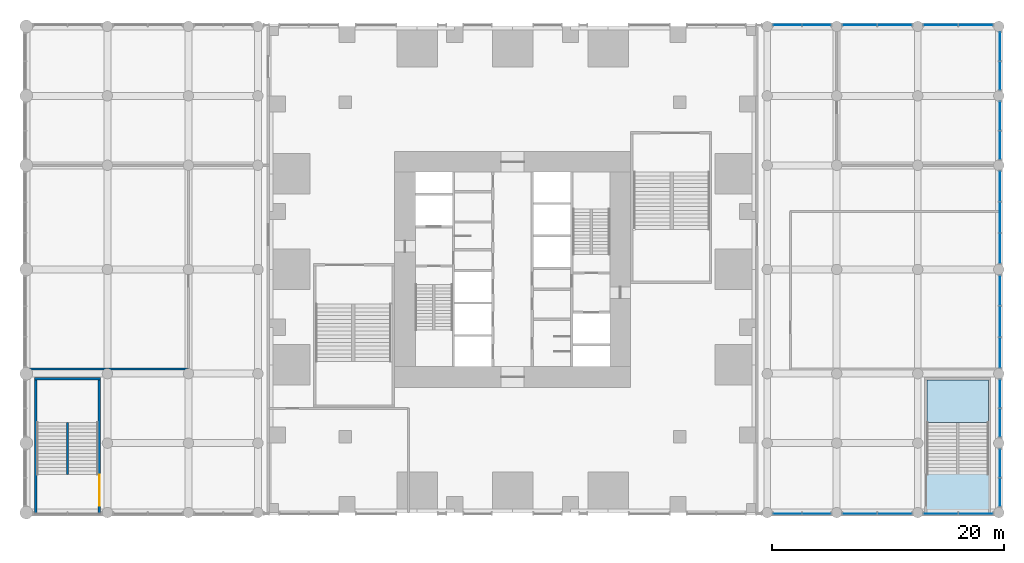
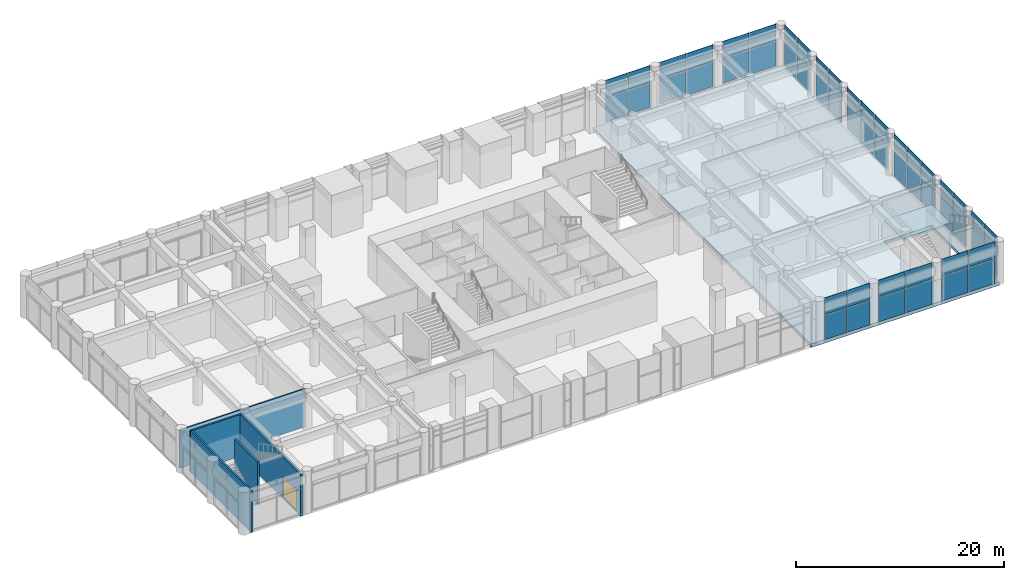
# One storey, part 15 of 23: 52 plates, 5 walls, 2 slabs, 1 door, 1 opening, 13 elements without a shape of their own.
"""IFC4 building model written with IfcOpenShell, lengths in metres."""

from ifc_helpers import new_model, si_unit, direction, frame, frame_2d, origin, origin_2d, place, context, subcontext, project, spatial, polyline, rectangle, outline, extrude, material, layer, layer_set, type_object, element, fill, aggregate, save


model = new_model("IFC4")

# Units and contexts
model_context = context("Model", 3, precision=1e-05, world=origin(), true_north=direction((0.0, 1.0)))
body_context = subcontext(model_context, "Body", "Model", "MODEL_VIEW")
ifc_project = project(units=[si_unit("LENGTHUNIT", "METRE"), si_unit("AREAUNIT", "SQUARE_METRE"), si_unit("VOLUMEUNIT", "CUBIC_METRE"), si_unit("PLANEANGLEUNIT", "RADIAN"), si_unit("MASSUNIT", "GRAM", prefix="KILO")], contexts=[model_context])

# Site, building, storey
site_placement = place(None, origin())
site = spatial("IfcSite", under=ifc_project, at=site_placement, CompositionType="ELEMENT")
building_placement = place(site_placement, origin())
building = spatial("IfcBuilding", under=site, at=building_placement, Name="Svetlomir Tower", CompositionType="ELEMENT")
storey_placement = place(building_placement, frame((0.0, 0.0, 6.0)))
storey = spatial("IfcBuildingStorey", under=building, at=storey_placement, Name="L01", CompositionType="ELEMENT", Elevation=6.0)

# Curtain wall, plates
ifc_material_1 = material(Name="Bronze anodised aluminium curtain wall", Category="aluminium")
curtain_wall_type = type_object("IfcCurtainWallType", Name="CURTAIN WALL CW5 PODIUM", PredefinedType="NOTDEFINED", material=ifc_material_1)
curtain_wall_1_placement = place(storey_placement, origin())
curtain_wall_1 = element("IfcCurtainWall", 1, at=curtain_wall_1_placement, inside=storey, type_object=curtain_wall_type, Name="Curtain wall CW5 L01", PredefinedType="NOTDEFINED")
ifc_material_2 = material(Name="Tinted double glazed unit", Category="glass")
ifc_layer_1 = layer(ifc_material_2, 0.0400390625)
ifc_layer_set_1 = layer_set([ifc_layer_1], Name="Tinted double glazed unit")
plate_type = type_object("IfcPlateType", Name="CW5 GLAZED PANEL 40", PredefinedType="CURTAIN_PANEL", material=ifc_layer_set_1)
plate_1_placement = place(storey_placement, frame((44.7451171875, -0.10009765625, 0.080078125), z_axis=(0.0, 0.0, 1.0), x_axis=(1.0, 0.0, 0.0)))
plate_1 = element("IfcPlate", 2, at=plate_1_placement, type_object=plate_type, Name="CW5 panel 1.1", PredefinedType="CURTAIN_PANEL", context=body_context, shape_type="SweptSolid", body=[
    extrude(rectangle(XDim=2.429931640625, YDim=0.0400390625, at=origin_2d()), origin(), (0.0, 0.0, 1.0), 2.8798828125),
])
plate_2_placement = place(storey_placement, frame((44.7451171875, -0.10009765625, 3.0400390625), z_axis=(0.0, 0.0, 1.0), x_axis=(1.0, 0.0, 0.0)))
plate_2 = element("IfcPlate", 3, at=plate_2_placement, type_object=plate_type, Name="CW5 panel 1.2", PredefinedType="CURTAIN_PANEL", context=body_context, shape_type="SweptSolid", body=[
    extrude(rectangle(XDim=2.429931640625, YDim=0.0400390625, at=origin_2d()), origin(), (0.0, 0.0, 1.0), 1.9599609375),
])
plate_3_placement = place(storey_placement, frame((47.2548828125, -0.10009765625, 0.080078125), z_axis=(0.0, 0.0, 1.0), x_axis=(1.0, 0.0, 0.0)))
plate_3 = element("IfcPlate", 4, at=plate_3_placement, type_object=plate_type, Name="CW5 panel 2.1", PredefinedType="CURTAIN_PANEL", context=body_context, shape_type="SweptSolid", body=[
    extrude(rectangle(XDim=2.429931640625, YDim=0.0400390625, at=origin_2d()), origin(), (0.0, 0.0, 1.0), 2.8798828125),
])
plate_4_placement = place(storey_placement, frame((47.2548828125, -0.10009765625, 3.0400390625), z_axis=(0.0, 0.0, 1.0), x_axis=(1.0, 0.0, 0.0)))
plate_4 = element("IfcPlate", 5, at=plate_4_placement, type_object=plate_type, Name="CW5 panel 2.2", PredefinedType="CURTAIN_PANEL", context=body_context, shape_type="SweptSolid", body=[
    extrude(rectangle(XDim=2.429931640625, YDim=0.0400390625, at=origin_2d()), origin(), (0.0, 0.0, 1.0), 1.9599609375),
])
aggregate(curtain_wall_1, [plate_1, plate_2, plate_3, plate_4])

curtain_wall_2_placement = place(storey_placement, origin())
curtain_wall_2 = element("IfcCurtainWall", 6, at=curtain_wall_2_placement, inside=storey, type_object=curtain_wall_type, Name="Curtain wall CW5 L01", PredefinedType="NOTDEFINED")
plate_5_placement = place(storey_placement, frame((50.9951171875, -0.10009765625, 0.080078125), z_axis=(0.0, 0.0, 1.0), x_axis=(1.0, 0.0, 0.0)))
plate_5 = element("IfcPlate", 7, at=plate_5_placement, type_object=plate_type, Name="CW5 panel 1.1", PredefinedType="CURTAIN_PANEL", context=body_context, shape_type="SweptSolid", body=[
    extrude(rectangle(XDim=2.929931640625, YDim=0.0400390625, at=origin_2d()), origin(), (0.0, 0.0, 1.0), 2.8798828125),
])
plate_6_placement = place(storey_placement, frame((50.9951171875, -0.10009765625, 3.0400390625), z_axis=(0.0, 0.0, 1.0), x_axis=(1.0, 0.0, 0.0)))
plate_6 = element("IfcPlate", 8, at=plate_6_placement, type_object=plate_type, Name="CW5 panel 1.2", PredefinedType="CURTAIN_PANEL", context=body_context, shape_type="SweptSolid", body=[
    extrude(rectangle(XDim=2.929931640625, YDim=0.0400390625, at=origin_2d()), origin(), (0.0, 0.0, 1.0), 1.9599609375),
])
plate_7_placement = place(storey_placement, frame((54.0048828125, -0.10009765625, 0.080078125), z_axis=(0.0, 0.0, 1.0), x_axis=(1.0, 0.0, 0.0)))
plate_7 = element("IfcPlate", 9, at=plate_7_placement, type_object=plate_type, Name="CW5 panel 2.1", PredefinedType="CURTAIN_PANEL", context=body_context, shape_type="SweptSolid", body=[
    extrude(rectangle(XDim=2.929931640625, YDim=0.0400390625, at=origin_2d()), origin(), (0.0, 0.0, 1.0), 2.8798828125),
])
plate_8_placement = place(storey_placement, frame((54.0048828125, -0.10009765625, 3.0400390625), z_axis=(0.0, 0.0, 1.0), x_axis=(1.0, 0.0, 0.0)))
plate_8 = element("IfcPlate", 10, at=plate_8_placement, type_object=plate_type, Name="CW5 panel 2.2", PredefinedType="CURTAIN_PANEL", context=body_context, shape_type="SweptSolid", body=[
    extrude(rectangle(XDim=2.929931640625, YDim=0.0400390625, at=origin_2d()), origin(), (0.0, 0.0, 1.0), 1.9599609375),
])
aggregate(curtain_wall_2, [plate_5, plate_6, plate_7, plate_8])

curtain_wall_3_placement = place(storey_placement, origin())
curtain_wall_3 = element("IfcCurtainWall", 11, at=curtain_wall_3_placement, inside=storey, type_object=curtain_wall_type, Name="Curtain wall CW5 L01", PredefinedType="NOTDEFINED")
plate_9_placement = place(storey_placement, frame((57.9951171875, -0.10009765625, 0.080078125), z_axis=(0.0, 0.0, 1.0), x_axis=(1.0, 0.0, 0.0)))
plate_9 = element("IfcPlate", 12, at=plate_9_placement, type_object=plate_type, Name="CW5 panel 1.1", PredefinedType="CURTAIN_PANEL", context=body_context, shape_type="SweptSolid", body=[
    extrude(rectangle(XDim=2.929931640625, YDim=0.0400390625, at=origin_2d()), origin(), (0.0, 0.0, 1.0), 2.8798828125),
])
plate_10_placement = place(storey_placement, frame((57.9951171875, -0.10009765625, 3.0400390625), z_axis=(0.0, 0.0, 1.0), x_axis=(1.0, 0.0, 0.0)))
plate_10 = element("IfcPlate", 13, at=plate_10_placement, type_object=plate_type, Name="CW5 panel 1.2", PredefinedType="CURTAIN_PANEL", context=body_context, shape_type="SweptSolid", body=[
    extrude(rectangle(XDim=2.929931640625, YDim=0.0400390625, at=origin_2d()), origin(), (0.0, 0.0, 1.0), 1.9599609375),
])
plate_11_placement = place(storey_placement, frame((61.0048828125, -0.10009765625, 0.080078125), z_axis=(0.0, 0.0, 1.0), x_axis=(1.0, 0.0, 0.0)))
plate_11 = element("IfcPlate", 14, at=plate_11_placement, type_object=plate_type, Name="CW5 panel 2.1", PredefinedType="CURTAIN_PANEL", context=body_context, shape_type="SweptSolid", body=[
    extrude(rectangle(XDim=2.929931640625, YDim=0.0400390625, at=origin_2d()), origin(), (0.0, 0.0, 1.0), 2.8798828125),
])
plate_12_placement = place(storey_placement, frame((61.0048828125, -0.10009765625, 3.0400390625), z_axis=(0.0, 0.0, 1.0), x_axis=(1.0, 0.0, 0.0)))
plate_12 = element("IfcPlate", 15, at=plate_12_placement, type_object=plate_type, Name="CW5 panel 2.2", PredefinedType="CURTAIN_PANEL", context=body_context, shape_type="SweptSolid", body=[
    extrude(rectangle(XDim=2.929931640625, YDim=0.0400390625, at=origin_2d()), origin(), (0.0, 0.0, 1.0), 1.9599609375),
])
aggregate(curtain_wall_3, [plate_9, plate_10, plate_11, plate_12])

curtain_wall_4_placement = place(storey_placement, origin())
curtain_wall_4 = element("IfcCurtainWall", 16, at=curtain_wall_4_placement, inside=storey, type_object=curtain_wall_type, Name="Curtain wall CW5 L01", PredefinedType="NOTDEFINED")
plate_13_placement = place(storey_placement, frame((63.10009765625, 1.7451171875, 0.080078125), z_axis=(0.0, 0.0, 1.0), x_axis=(0.0, 1.0, 0.0)))
plate_13 = element("IfcPlate", 17, at=plate_13_placement, type_object=plate_type, Name="CW5 panel 1.1", PredefinedType="CURTAIN_PANEL", context=body_context, shape_type="SweptSolid", body=[
    extrude(rectangle(XDim=2.429931640625, YDim=0.0400390625, at=origin_2d()), origin(), (0.0, 0.0, 1.0), 2.8798828125),
])
plate_14_placement = place(storey_placement, frame((63.10009765625, 1.7451171875, 3.0400390625), z_axis=(0.0, 0.0, 1.0), x_axis=(0.0, 1.0, 0.0)))
plate_14 = element("IfcPlate", 18, at=plate_14_placement, type_object=plate_type, Name="CW5 panel 1.2", PredefinedType="CURTAIN_PANEL", context=body_context, shape_type="SweptSolid", body=[
    extrude(rectangle(XDim=2.429931640625, YDim=0.0400390625, at=origin_2d()), origin(), (0.0, 0.0, 1.0), 1.9599609375),
])
plate_15_placement = place(storey_placement, frame((63.10009765625, 4.2548828125, 0.080078125), z_axis=(0.0, 0.0, 1.0), x_axis=(0.0, 1.0, 0.0)))
plate_15 = element("IfcPlate", 19, at=plate_15_placement, type_object=plate_type, Name="CW5 panel 2.1", PredefinedType="CURTAIN_PANEL", context=body_context, shape_type="SweptSolid", body=[
    extrude(rectangle(XDim=2.429931640625, YDim=0.0400390625, at=origin_2d()), origin(), (0.0, 0.0, 1.0), 2.8798828125),
])
plate_16_placement = place(storey_placement, frame((63.10009765625, 4.2548828125, 3.0400390625), z_axis=(0.0, 0.0, 1.0), x_axis=(0.0, 1.0, 0.0)))
plate_16 = element("IfcPlate", 20, at=plate_16_placement, type_object=plate_type, Name="CW5 panel 2.2", PredefinedType="CURTAIN_PANEL", context=body_context, shape_type="SweptSolid", body=[
    extrude(rectangle(XDim=2.429931640625, YDim=0.0400390625, at=origin_2d()), origin(), (0.0, 0.0, 1.0), 1.9599609375),
])
aggregate(curtain_wall_4, [plate_13, plate_14, plate_15, plate_16])

curtain_wall_5_placement = place(storey_placement, origin())
curtain_wall_5 = element("IfcCurtainWall", 21, at=curtain_wall_5_placement, inside=storey, type_object=curtain_wall_type, Name="Curtain wall CW5 L01", PredefinedType="NOTDEFINED")
plate_17_placement = place(storey_placement, frame((63.10009765625, 7.7451171875, 0.080078125), z_axis=(0.0, 0.0, 1.0), x_axis=(0.0, 1.0, 0.0)))
plate_17 = element("IfcPlate", 22, at=plate_17_placement, type_object=plate_type, Name="CW5 panel 1.1", PredefinedType="CURTAIN_PANEL", context=body_context, shape_type="SweptSolid", body=[
    extrude(rectangle(XDim=2.429931640625, YDim=0.0400390625, at=origin_2d()), origin(), (0.0, 0.0, 1.0), 2.8798828125),
])
plate_18_placement = place(storey_placement, frame((63.10009765625, 7.7451171875, 3.0400390625), z_axis=(0.0, 0.0, 1.0), x_axis=(0.0, 1.0, 0.0)))
plate_18 = element("IfcPlate", 23, at=plate_18_placement, type_object=plate_type, Name="CW5 panel 1.2", PredefinedType="CURTAIN_PANEL", context=body_context, shape_type="SweptSolid", body=[
    extrude(rectangle(XDim=2.429931640625, YDim=0.0400390625, at=origin_2d()), origin(), (0.0, 0.0, 1.0), 1.9599609375),
])
plate_19_placement = place(storey_placement, frame((63.10009765625, 10.2548828125, 0.080078125), z_axis=(0.0, 0.0, 1.0), x_axis=(0.0, 1.0, 0.0)))
plate_19 = element("IfcPlate", 24, at=plate_19_placement, type_object=plate_type, Name="CW5 panel 2.1", PredefinedType="CURTAIN_PANEL", context=body_context, shape_type="SweptSolid", body=[
    extrude(rectangle(XDim=2.429931640625, YDim=0.0400390625, at=origin_2d()), origin(), (0.0, 0.0, 1.0), 2.8798828125),
])
plate_20_placement = place(storey_placement, frame((63.10009765625, 10.2548828125, 3.0400390625), z_axis=(0.0, 0.0, 1.0), x_axis=(0.0, 1.0, 0.0)))
plate_20 = element("IfcPlate", 25, at=plate_20_placement, type_object=plate_type, Name="CW5 panel 2.2", PredefinedType="CURTAIN_PANEL", context=body_context, shape_type="SweptSolid", body=[
    extrude(rectangle(XDim=2.429931640625, YDim=0.0400390625, at=origin_2d()), origin(), (0.0, 0.0, 1.0), 1.9599609375),
])
aggregate(curtain_wall_5, [plate_17, plate_18, plate_19, plate_20])

curtain_wall_6_placement = place(storey_placement, origin())
curtain_wall_6 = element("IfcCurtainWall", 26, at=curtain_wall_6_placement, inside=storey, type_object=curtain_wall_type, Name="Curtain wall CW5 L01", PredefinedType="NOTDEFINED")
plate_21_placement = place(storey_placement, frame((63.10009765625, 13.820068359375, 0.080078125), z_axis=(0.0, 0.0, 1.0), x_axis=(0.0, 1.0, 0.0)))
plate_21 = element("IfcPlate", 27, at=plate_21_placement, type_object=plate_type, Name="CW5 panel 1.1", PredefinedType="CURTAIN_PANEL", context=body_context, shape_type="SweptSolid", body=[
    extrude(rectangle(XDim=2.580078125, YDim=0.0400390625, at=origin_2d()), origin(), (0.0, 0.0, 1.0), 2.8798828125),
])
plate_22_placement = place(storey_placement, frame((63.10009765625, 13.820068359375, 3.0400390625), z_axis=(0.0, 0.0, 1.0), x_axis=(0.0, 1.0, 0.0)))
plate_22 = element("IfcPlate", 28, at=plate_22_placement, type_object=plate_type, Name="CW5 panel 1.2", PredefinedType="CURTAIN_PANEL", context=body_context, shape_type="SweptSolid", body=[
    extrude(rectangle(XDim=2.580078125, YDim=0.0400390625, at=origin_2d()), origin(), (0.0, 0.0, 1.0), 1.9599609375),
])
plate_23_placement = place(storey_placement, frame((63.10009765625, 16.5, 0.080078125), z_axis=(0.0, 0.0, 1.0), x_axis=(0.0, 1.0, 0.0)))
plate_23 = element("IfcPlate", 29, at=plate_23_placement, type_object=plate_type, Name="CW5 panel 2.1", PredefinedType="CURTAIN_PANEL", context=body_context, shape_type="SweptSolid", body=[
    extrude(rectangle(XDim=2.6201171875, YDim=0.0400390625, at=origin_2d()), origin(), (0.0, 0.0, 1.0), 2.8798828125),
])
plate_24_placement = place(storey_placement, frame((63.10009765625, 16.5, 3.0400390625), z_axis=(0.0, 0.0, 1.0), x_axis=(0.0, 1.0, 0.0)))
plate_24 = element("IfcPlate", 30, at=plate_24_placement, type_object=plate_type, Name="CW5 panel 2.2", PredefinedType="CURTAIN_PANEL", context=body_context, shape_type="SweptSolid", body=[
    extrude(rectangle(XDim=2.6201171875, YDim=0.0400390625, at=origin_2d()), origin(), (0.0, 0.0, 1.0), 1.9599609375),
])
plate_25_placement = place(storey_placement, frame((63.10009765625, 19.179931640625, 0.080078125), z_axis=(0.0, 0.0, 1.0), x_axis=(0.0, 1.0, 0.0)))
plate_25 = element("IfcPlate", 31, at=plate_25_placement, type_object=plate_type, Name="CW5 panel 3.1", PredefinedType="CURTAIN_PANEL", context=body_context, shape_type="SweptSolid", body=[
    extrude(rectangle(XDim=2.580078125, YDim=0.0400390625, at=origin_2d()), origin(), (0.0, 0.0, 1.0), 2.8798828125),
])
plate_26_placement = place(storey_placement, frame((63.10009765625, 19.179931640625, 3.0400390625), z_axis=(0.0, 0.0, 1.0), x_axis=(0.0, 1.0, 0.0)))
plate_26 = element("IfcPlate", 32, at=plate_26_placement, type_object=plate_type, Name="CW5 panel 3.2", PredefinedType="CURTAIN_PANEL", context=body_context, shape_type="SweptSolid", body=[
    extrude(rectangle(XDim=2.580078125, YDim=0.0400390625, at=origin_2d()), origin(), (0.0, 0.0, 1.0), 1.9599609375),
])
aggregate(curtain_wall_6, [plate_21, plate_22, plate_23, plate_24, plate_25, plate_26])

curtain_wall_7_placement = place(storey_placement, origin())
curtain_wall_7 = element("IfcCurtainWall", 33, at=curtain_wall_7_placement, inside=storey, type_object=curtain_wall_type, Name="Curtain wall CW5 L01", PredefinedType="NOTDEFINED")
plate_27_placement = place(storey_placement, frame((63.10009765625, 22.820068359375, 0.080078125), z_axis=(0.0, 0.0, 1.0), x_axis=(0.0, 1.0, 0.0)))
plate_27 = element("IfcPlate", 34, at=plate_27_placement, type_object=plate_type, Name="CW5 panel 1.1", PredefinedType="CURTAIN_PANEL", context=body_context, shape_type="SweptSolid", body=[
    extrude(rectangle(XDim=2.580078125, YDim=0.0400390625, at=origin_2d()), origin(), (0.0, 0.0, 1.0), 2.8798828125),
])
plate_28_placement = place(storey_placement, frame((63.10009765625, 22.820068359375, 3.0400390625), z_axis=(0.0, 0.0, 1.0), x_axis=(0.0, 1.0, 0.0)))
plate_28 = element("IfcPlate", 35, at=plate_28_placement, type_object=plate_type, Name="CW5 panel 1.2", PredefinedType="CURTAIN_PANEL", context=body_context, shape_type="SweptSolid", body=[
    extrude(rectangle(XDim=2.580078125, YDim=0.0400390625, at=origin_2d()), origin(), (0.0, 0.0, 1.0), 1.9599609375),
])
plate_29_placement = place(storey_placement, frame((63.10009765625, 25.5, 0.080078125), z_axis=(0.0, 0.0, 1.0), x_axis=(0.0, 1.0, 0.0)))
plate_29 = element("IfcPlate", 36, at=plate_29_placement, type_object=plate_type, Name="CW5 panel 2.1", PredefinedType="CURTAIN_PANEL", context=body_context, shape_type="SweptSolid", body=[
    extrude(rectangle(XDim=2.6201171875, YDim=0.0400390625, at=origin_2d()), origin(), (0.0, 0.0, 1.0), 2.8798828125),
])
plate_30_placement = place(storey_placement, frame((63.10009765625, 25.5, 3.0400390625), z_axis=(0.0, 0.0, 1.0), x_axis=(0.0, 1.0, 0.0)))
plate_30 = element("IfcPlate", 37, at=plate_30_placement, type_object=plate_type, Name="CW5 panel 2.2", PredefinedType="CURTAIN_PANEL", context=body_context, shape_type="SweptSolid", body=[
    extrude(rectangle(XDim=2.6201171875, YDim=0.0400390625, at=origin_2d()), origin(), (0.0, 0.0, 1.0), 1.9599609375),
])
plate_31_placement = place(storey_placement, frame((63.10009765625, 28.179931640625, 0.080078125), z_axis=(0.0, 0.0, 1.0), x_axis=(0.0, 1.0, 0.0)))
plate_31 = element("IfcPlate", 38, at=plate_31_placement, type_object=plate_type, Name="CW5 panel 3.1", PredefinedType="CURTAIN_PANEL", context=body_context, shape_type="SweptSolid", body=[
    extrude(rectangle(XDim=2.580078125, YDim=0.0400390625, at=origin_2d()), origin(), (0.0, 0.0, 1.0), 2.8798828125),
])
plate_32_placement = place(storey_placement, frame((63.10009765625, 28.179931640625, 3.0400390625), z_axis=(0.0, 0.0, 1.0), x_axis=(0.0, 1.0, 0.0)))
plate_32 = element("IfcPlate", 39, at=plate_32_placement, type_object=plate_type, Name="CW5 panel 3.2", PredefinedType="CURTAIN_PANEL", context=body_context, shape_type="SweptSolid", body=[
    extrude(rectangle(XDim=2.580078125, YDim=0.0400390625, at=origin_2d()), origin(), (0.0, 0.0, 1.0), 1.9599609375),
])
aggregate(curtain_wall_7, [plate_27, plate_28, plate_29, plate_30, plate_31, plate_32])

curtain_wall_8_placement = place(storey_placement, origin())
curtain_wall_8 = element("IfcCurtainWall", 40, at=curtain_wall_8_placement, inside=storey, type_object=curtain_wall_type, Name="Curtain wall CW5 L01", PredefinedType="NOTDEFINED")
plate_33_placement = place(storey_placement, frame((63.10009765625, 31.7451171875, 0.080078125), z_axis=(0.0, 0.0, 1.0), x_axis=(0.0, 1.0, 0.0)))
plate_33 = element("IfcPlate", 41, at=plate_33_placement, type_object=plate_type, Name="CW5 panel 1.1", PredefinedType="CURTAIN_PANEL", context=body_context, shape_type="SweptSolid", body=[
    extrude(rectangle(XDim=2.429931640625, YDim=0.0400390625, at=origin_2d()), origin(), (0.0, 0.0, 1.0), 2.8798828125),
])
plate_34_placement = place(storey_placement, frame((63.10009765625, 31.7451171875, 3.0400390625), z_axis=(0.0, 0.0, 1.0), x_axis=(0.0, 1.0, 0.0)))
plate_34 = element("IfcPlate", 42, at=plate_34_placement, type_object=plate_type, Name="CW5 panel 1.2", PredefinedType="CURTAIN_PANEL", context=body_context, shape_type="SweptSolid", body=[
    extrude(rectangle(XDim=2.429931640625, YDim=0.0400390625, at=origin_2d()), origin(), (0.0, 0.0, 1.0), 1.9599609375),
])
plate_35_placement = place(storey_placement, frame((63.10009765625, 34.2548828125, 0.080078125), z_axis=(0.0, 0.0, 1.0), x_axis=(0.0, 1.0, 0.0)))
plate_35 = element("IfcPlate", 43, at=plate_35_placement, type_object=plate_type, Name="CW5 panel 2.1", PredefinedType="CURTAIN_PANEL", context=body_context, shape_type="SweptSolid", body=[
    extrude(rectangle(XDim=2.429931640625, YDim=0.0400390625, at=origin_2d()), origin(), (0.0, 0.0, 1.0), 2.8798828125),
])
plate_36_placement = place(storey_placement, frame((63.10009765625, 34.2548828125, 3.0400390625), z_axis=(0.0, 0.0, 1.0), x_axis=(0.0, 1.0, 0.0)))
plate_36 = element("IfcPlate", 44, at=plate_36_placement, type_object=plate_type, Name="CW5 panel 2.2", PredefinedType="CURTAIN_PANEL", context=body_context, shape_type="SweptSolid", body=[
    extrude(rectangle(XDim=2.429931640625, YDim=0.0400390625, at=origin_2d()), origin(), (0.0, 0.0, 1.0), 1.9599609375),
])
aggregate(curtain_wall_8, [plate_33, plate_34, plate_35, plate_36])

curtain_wall_9_placement = place(storey_placement, origin())
curtain_wall_9 = element("IfcCurtainWall", 45, at=curtain_wall_9_placement, inside=storey, type_object=curtain_wall_type, Name="Curtain wall CW5 L01", PredefinedType="NOTDEFINED")
plate_37_placement = place(storey_placement, frame((63.10009765625, 37.7451171875, 0.080078125), z_axis=(0.0, 0.0, 1.0), x_axis=(0.0, 1.0, 0.0)))
plate_37 = element("IfcPlate", 46, at=plate_37_placement, type_object=plate_type, Name="CW5 panel 1.1", PredefinedType="CURTAIN_PANEL", context=body_context, shape_type="SweptSolid", body=[
    extrude(rectangle(XDim=2.429931640625, YDim=0.0400390625, at=origin_2d()), origin(), (0.0, 0.0, 1.0), 2.8798828125),
])
plate_38_placement = place(storey_placement, frame((63.10009765625, 37.7451171875, 3.0400390625), z_axis=(0.0, 0.0, 1.0), x_axis=(0.0, 1.0, 0.0)))
plate_38 = element("IfcPlate", 47, at=plate_38_placement, type_object=plate_type, Name="CW5 panel 1.2", PredefinedType="CURTAIN_PANEL", context=body_context, shape_type="SweptSolid", body=[
    extrude(rectangle(XDim=2.429931640625, YDim=0.0400390625, at=origin_2d()), origin(), (0.0, 0.0, 1.0), 1.9599609375),
])
plate_39_placement = place(storey_placement, frame((63.10009765625, 40.2548828125, 0.080078125), z_axis=(0.0, 0.0, 1.0), x_axis=(0.0, 1.0, 0.0)))
plate_39 = element("IfcPlate", 48, at=plate_39_placement, type_object=plate_type, Name="CW5 panel 2.1", PredefinedType="CURTAIN_PANEL", context=body_context, shape_type="SweptSolid", body=[
    extrude(rectangle(XDim=2.429931640625, YDim=0.0400390625, at=origin_2d()), origin(), (0.0, 0.0, 1.0), 2.8798828125),
])
plate_40_placement = place(storey_placement, frame((63.10009765625, 40.2548828125, 3.0400390625), z_axis=(0.0, 0.0, 1.0), x_axis=(0.0, 1.0, 0.0)))
plate_40 = element("IfcPlate", 49, at=plate_40_placement, type_object=plate_type, Name="CW5 panel 2.2", PredefinedType="CURTAIN_PANEL", context=body_context, shape_type="SweptSolid", body=[
    extrude(rectangle(XDim=2.429931640625, YDim=0.0400390625, at=origin_2d()), origin(), (0.0, 0.0, 1.0), 1.9599609375),
])
aggregate(curtain_wall_9, [plate_37, plate_38, plate_39, plate_40])

curtain_wall_10_placement = place(storey_placement, origin())
curtain_wall_10 = element("IfcCurtainWall", 50, at=curtain_wall_10_placement, inside=storey, type_object=curtain_wall_type, Name="Curtain wall CW5 L01", PredefinedType="NOTDEFINED")
plate_41_placement = place(storey_placement, frame((61.0048828125, 42.10009765625, 0.080078125), z_axis=(0.0, 0.0, 1.0), x_axis=(-1.0, 0.0, 0.0)))
plate_41 = element("IfcPlate", 51, at=plate_41_placement, type_object=plate_type, Name="CW5 panel 1.1", PredefinedType="CURTAIN_PANEL", context=body_context, shape_type="SweptSolid", body=[
    extrude(rectangle(XDim=2.929931640625, YDim=0.0400390625, at=origin_2d()), origin(), (0.0, 0.0, 1.0), 2.8798828125),
])
plate_42_placement = place(storey_placement, frame((61.0048828125, 42.10009765625, 3.0400390625), z_axis=(0.0, 0.0, 1.0), x_axis=(-1.0, 0.0, 0.0)))
plate_42 = element("IfcPlate", 52, at=plate_42_placement, type_object=plate_type, Name="CW5 panel 1.2", PredefinedType="CURTAIN_PANEL", context=body_context, shape_type="SweptSolid", body=[
    extrude(rectangle(XDim=2.929931640625, YDim=0.0400390625, at=origin_2d()), origin(), (0.0, 0.0, 1.0), 1.9599609375),
])
plate_43_placement = place(storey_placement, frame((57.9951171875, 42.10009765625, 0.080078125), z_axis=(0.0, 0.0, 1.0), x_axis=(-1.0, 0.0, 0.0)))
plate_43 = element("IfcPlate", 53, at=plate_43_placement, type_object=plate_type, Name="CW5 panel 2.1", PredefinedType="CURTAIN_PANEL", context=body_context, shape_type="SweptSolid", body=[
    extrude(rectangle(XDim=2.929931640625, YDim=0.0400390625, at=origin_2d()), origin(), (0.0, 0.0, 1.0), 2.8798828125),
])
plate_44_placement = place(storey_placement, frame((57.9951171875, 42.10009765625, 3.0400390625), z_axis=(0.0, 0.0, 1.0), x_axis=(-1.0, 0.0, 0.0)))
plate_44 = element("IfcPlate", 54, at=plate_44_placement, type_object=plate_type, Name="CW5 panel 2.2", PredefinedType="CURTAIN_PANEL", context=body_context, shape_type="SweptSolid", body=[
    extrude(rectangle(XDim=2.929931640625, YDim=0.0400390625, at=origin_2d()), origin(), (0.0, 0.0, 1.0), 1.9599609375),
])
aggregate(curtain_wall_10, [plate_41, plate_42, plate_43, plate_44])

curtain_wall_11_placement = place(storey_placement, origin())
curtain_wall_11 = element("IfcCurtainWall", 55, at=curtain_wall_11_placement, inside=storey, type_object=curtain_wall_type, Name="Curtain wall CW5 L01", PredefinedType="NOTDEFINED")
plate_45_placement = place(storey_placement, frame((54.0048828125, 42.10009765625, 0.080078125), z_axis=(0.0, 0.0, 1.0), x_axis=(-1.0, 0.0, 0.0)))
plate_45 = element("IfcPlate", 56, at=plate_45_placement, type_object=plate_type, Name="CW5 panel 1.1", PredefinedType="CURTAIN_PANEL", context=body_context, shape_type="SweptSolid", body=[
    extrude(rectangle(XDim=2.929931640625, YDim=0.0400390625, at=origin_2d()), origin(), (0.0, 0.0, 1.0), 2.8798828125),
])
plate_46_placement = place(storey_placement, frame((54.0048828125, 42.10009765625, 3.0400390625), z_axis=(0.0, 0.0, 1.0), x_axis=(-1.0, 0.0, 0.0)))
plate_46 = element("IfcPlate", 57, at=plate_46_placement, type_object=plate_type, Name="CW5 panel 1.2", PredefinedType="CURTAIN_PANEL", context=body_context, shape_type="SweptSolid", body=[
    extrude(rectangle(XDim=2.929931640625, YDim=0.0400390625, at=origin_2d()), origin(), (0.0, 0.0, 1.0), 1.9599609375),
])
plate_47_placement = place(storey_placement, frame((50.9951171875, 42.10009765625, 0.080078125), z_axis=(0.0, 0.0, 1.0), x_axis=(-1.0, 0.0, 0.0)))
plate_47 = element("IfcPlate", 58, at=plate_47_placement, type_object=plate_type, Name="CW5 panel 2.1", PredefinedType="CURTAIN_PANEL", context=body_context, shape_type="SweptSolid", body=[
    extrude(rectangle(XDim=2.929931640625, YDim=0.0400390625, at=origin_2d()), origin(), (0.0, 0.0, 1.0), 2.8798828125),
])
plate_48_placement = place(storey_placement, frame((50.9951171875, 42.10009765625, 3.0400390625), z_axis=(0.0, 0.0, 1.0), x_axis=(-1.0, 0.0, 0.0)))
plate_48 = element("IfcPlate", 59, at=plate_48_placement, type_object=plate_type, Name="CW5 panel 2.2", PredefinedType="CURTAIN_PANEL", context=body_context, shape_type="SweptSolid", body=[
    extrude(rectangle(XDim=2.929931640625, YDim=0.0400390625, at=origin_2d()), origin(), (0.0, 0.0, 1.0), 1.9599609375),
])
aggregate(curtain_wall_11, [plate_45, plate_46, plate_47, plate_48])

curtain_wall_12_placement = place(storey_placement, origin())
curtain_wall_12 = element("IfcCurtainWall", 60, at=curtain_wall_12_placement, inside=storey, type_object=curtain_wall_type, Name="Curtain wall CW5 L01", PredefinedType="NOTDEFINED")
plate_49_placement = place(storey_placement, frame((47.2548828125, 42.10009765625, 0.080078125), z_axis=(0.0, 0.0, 1.0), x_axis=(-1.0, 0.0, 0.0)))
plate_49 = element("IfcPlate", 61, at=plate_49_placement, type_object=plate_type, Name="CW5 panel 1.1", PredefinedType="CURTAIN_PANEL", context=body_context, shape_type="SweptSolid", body=[
    extrude(rectangle(XDim=2.429931640625, YDim=0.0400390625, at=origin_2d()), origin(), (0.0, 0.0, 1.0), 2.8798828125),
])
plate_50_placement = place(storey_placement, frame((47.2548828125, 42.10009765625, 3.0400390625), z_axis=(0.0, 0.0, 1.0), x_axis=(-1.0, 0.0, 0.0)))
plate_50 = element("IfcPlate", 62, at=plate_50_placement, type_object=plate_type, Name="CW5 panel 1.2", PredefinedType="CURTAIN_PANEL", context=body_context, shape_type="SweptSolid", body=[
    extrude(rectangle(XDim=2.429931640625, YDim=0.0400390625, at=origin_2d()), origin(), (0.0, 0.0, 1.0), 1.9599609375),
])
plate_51_placement = place(storey_placement, frame((44.7451171875, 42.10009765625, 0.080078125), z_axis=(0.0, 0.0, 1.0), x_axis=(-1.0, 0.0, 0.0)))
plate_51 = element("IfcPlate", 63, at=plate_51_placement, type_object=plate_type, Name="CW5 panel 2.1", PredefinedType="CURTAIN_PANEL", context=body_context, shape_type="SweptSolid", body=[
    extrude(rectangle(XDim=2.429931640625, YDim=0.0400390625, at=origin_2d()), origin(), (0.0, 0.0, 1.0), 2.8798828125),
])
plate_52_placement = place(storey_placement, frame((44.7451171875, 42.10009765625, 3.0400390625), z_axis=(0.0, 0.0, 1.0), x_axis=(-1.0, 0.0, 0.0)))
plate_52 = element("IfcPlate", 64, at=plate_52_placement, type_object=plate_type, Name="CW5 panel 2.2", PredefinedType="CURTAIN_PANEL", context=body_context, shape_type="SweptSolid", body=[
    extrude(rectangle(XDim=2.429931640625, YDim=0.0400390625, at=origin_2d()), origin(), (0.0, 0.0, 1.0), 1.9599609375),
])
aggregate(curtain_wall_12, [plate_49, plate_50, plate_51, plate_52])

# Slab
ifc_material_3 = material(Name="Concrete C60/75", Category="concrete")
ifc_layer_2 = layer(ifc_material_3, 0.39990234375)
ifc_layer_set_2 = layer_set([ifc_layer_2], Name="Concrete C60/75")
slab_type_1 = type_object("IfcSlabType", Name="FLOOR SLAB 400", PredefinedType="FLOOR", material=ifc_layer_set_2)
slab_1_placement = place(storey_placement, frame((0.0, 0.0, -0.39990234375)))
element("IfcSlab", 65, at=slab_1_placement, inside=storey, type_object=slab_type_1, Name="L01 floor slab east wing", PredefinedType="FLOOR", context=body_context, shape_type="SweptSolid", body=[
    extrude(outline(polyline([(42.050048828125, 0.0), (63.0, 0.0), (63.0, 42.0), (42.050048828125, 42.0), (42.050048828125, 0.0)]), holes=[polyline([(56.800048828125, 3.320068359375), (62.10009765625, 3.320068359375), (62.10009765625, 11.449951171875), (56.800048828125, 11.449951171875), (56.800048828125, 3.320068359375)])]), origin(), (0.0, 0.0, 1.0), 0.39990234375),
])

# Stair, slab
ifc_material_4 = material(Name="Concrete C60/75", Category="concrete")
stair_type = type_object("IfcStairType", Name="EXIT STAIR 5300 RISE 5000", PredefinedType="HALF_TURN_STAIR", material=ifc_material_4)
stair_placement = place(storey_placement, origin())
stair = element("IfcStair", 66, at=stair_placement, inside=storey, type_object=stair_type, Name="Stair P4 L01 to L02", PredefinedType="HALF_TURN_STAIR")
ifc_material_5 = material(Name="Concrete C60/75", Category="concrete")
ifc_layer_3 = layer(ifc_material_5, 0.199951171875)
ifc_layer_set_3 = layer_set([ifc_layer_3], Name="Concrete C60/75")
slab_type_2 = type_object("IfcSlabType", Name="STAIR LANDING 200", PredefinedType="LANDING", material=ifc_layer_set_3)
slab_2_placement = place(storey_placement, frame((0.0, 0.0, 2.300048828125)))
slab_2 = element("IfcSlab", 67, at=slab_2_placement, type_object=slab_type_2, Name="P4 landing 1", PredefinedType="LANDING", context=body_context, shape_type="SweptSolid", body=[
    extrude(outline(polyline([(56.800048828125, 7.800048828125), (62.10009765625, 7.800048828125), (62.10009765625, 11.449951171875), (56.800048828125, 11.449951171875), (56.800048828125, 7.800048828125)])), origin(), (0.0, 0.0, 1.0), 0.199951171875),
])
aggregate(stair, [slab_2])

# Wall
ifc_material_6 = material(Name="Washable cement board on steel studs", Category="steel")
ifc_layer_4 = layer(ifc_material_6, 0.14990234375)
ifc_layer_set_4 = layer_set([ifc_layer_4], Name="Washable cement board on steel studs")
wall_type_1 = type_object("IfcWallType", Name="HYGIENIC PARTITION 150", PredefinedType="PARTITIONING", material=ifc_layer_set_4)
wall_1_placement = place(storey_placement, frame((-21.0, 12.39990234375, 0.0), z_axis=(0.0, 0.0, 1.0), x_axis=(1.0, 0.0, 0.0)))
element("IfcWall", 68, at=wall_1_placement, inside=storey, type_object=wall_type_1, Name="Partition L01", PredefinedType="PARTITIONING", context=body_context, shape_type="SweptSolid", body=[
    extrude(rectangle(XDim=14.0, YDim=0.14990234375, at=frame_2d((7.0, 0.0))), origin(), (0.0, 0.0, 1.0), 4.5),
])

# Wall, opening, door
ifc_material_7 = material(Name="Concrete C60/75", Category="concrete")
ifc_layer_5 = layer(ifc_material_7, 0.199951171875)
ifc_layer_set_5 = layer_set([ifc_layer_5], Name="Concrete C60/75")
wall_type_2 = type_object("IfcWallType", Name="STAIR CORE WALL RC 200", PredefinedType="SOLIDWALL", material=ifc_layer_set_5)
wall_2_placement = place(storey_placement, frame((-14.699951171875, -0.199951171875, -0.199951171875), z_axis=(0.0, 0.0, 1.0), x_axis=(0.0, 1.0, 0.0)))
wall_2 = element("IfcWall", 69, at=wall_2_placement, inside=storey, type_object=wall_type_2, Name="Stair P3 enclosure wall L01", PredefinedType="SOLIDWALL", context=body_context, shape_type="SweptSolid", body=[
    extrude(rectangle(XDim=11.849853515625, YDim=0.199951171875, at=frame_2d((5.9248046875, 0.0))), origin(), (0.0, 0.0, 1.0), 4.89990234375),
])
opening_placement = place(wall_2_placement, frame((0.800048828125, 0.0, 0.199951171875)))
opening = element("IfcOpeningElement", 70, at=opening_placement, cuts=wall_2, Name="Opening DS26", PredefinedType="OPENING", context=body_context, shape_type="SweptSolid", body=[
    extrude(rectangle(XDim=2.64990234375, YDim=2.39990234375, at=frame_2d((1.324951171875, 1.199951171875))), frame((0.0, 0.10986328125, 0.0), z_axis=(0.0, -1.0, 0.0), x_axis=(1.0, 0.0, 0.0)), (0.0, 0.0, 1.0), 0.219970703125),
])
ifc_material_8 = material(Name="Steel fire door", Category="steel")
door_type = type_object("IfcDoorType", Name="STAIR DOUBLE DOOR DS 2650x2400", OperationType="DOUBLE_DOOR_SINGLE_SWING", PredefinedType="DOOR", material=ifc_material_8)
door_placement = place(opening_placement, origin())
door = element("IfcDoor", 71, at=door_placement, inside=storey, type_object=door_type, Name="Stair P3 door L01", OperationType="DOUBLE_DOOR_SINGLE_SWING", OverallHeight=2.39990234375, OverallWidth=2.64990234375, PredefinedType="DOOR", context=body_context, shape_type="SweptSolid", body=[
    extrude(rectangle(XDim=2.64990234375, YDim=2.39990234375, at=frame_2d((1.324951171875, 1.199951171875))), frame((0.0, 0.02490234375, 0.0), z_axis=(0.0, -1.0, 0.0), x_axis=(1.0, 0.0, 0.0)), (0.0, 0.0, 1.0), 0.050048828125),
])
fill(opening, door)

# Walls
wall_3_placement = place(storey_placement, frame((-14.60009765625, 11.550048828125, -0.199951171875), z_axis=(0.0, 0.0, 1.0), x_axis=(-1.0, 0.0, 0.0)))
element("IfcWall", 72, at=wall_3_placement, inside=storey, type_object=wall_type_2, Name="Stair P3 enclosure wall L01", PredefinedType="SOLIDWALL", context=body_context, shape_type="SweptSolid", body=[
    extrude(rectangle(XDim=5.699951171875, YDim=0.199951171875, at=frame_2d((2.85009765625, 0.0))), origin(), (0.0, 0.0, 1.0), 4.89990234375),
])
wall_4_placement = place(storey_placement, frame((-20.199951171875, 11.64990234375, -0.199951171875), z_axis=(0.0, 0.0, 1.0), x_axis=(0.0, -1.0, 0.0)))
element("IfcWall", 73, at=wall_4_placement, inside=storey, type_object=wall_type_2, Name="Stair P3 enclosure wall L01", PredefinedType="SOLIDWALL", context=body_context, shape_type="SweptSolid", body=[
    extrude(rectangle(XDim=11.849853515625, YDim=0.199951171875, at=frame_2d((5.9248046875, 0.0))), origin(), (0.0, 0.0, 1.0), 4.89990234375),
])
ifc_material_9 = material(Name="Concrete C60/75", Category="concrete")
ifc_layer_6 = layer(ifc_material_9, 0.199951171875)
ifc_layer_set_6 = layer_set([ifc_layer_6], Name="Concrete C60/75")
wall_type_3 = type_object("IfcWallType", Name="STAIR SPINE WALL 200", PredefinedType="PARTITIONING", material=ifc_layer_set_6)
wall_5_placement = place(storey_placement, frame((-17.449951171875, 3.300048828125, 0.0), z_axis=(0.0, 0.0, 1.0), x_axis=(0.0, 1.0, 0.0)))
element("IfcWall", 74, at=wall_5_placement, inside=storey, type_object=wall_type_3, Name="Stair P3 spine wall L01", PredefinedType="PARTITIONING", context=body_context, shape_type="SweptSolid", body=[
    extrude(rectangle(XDim=4.5, YDim=0.199951171875, at=frame_2d((2.25, 0.0))), origin(), (0.0, 0.0, 1.0), 5.0),
])

save(model, "model.ifc")
